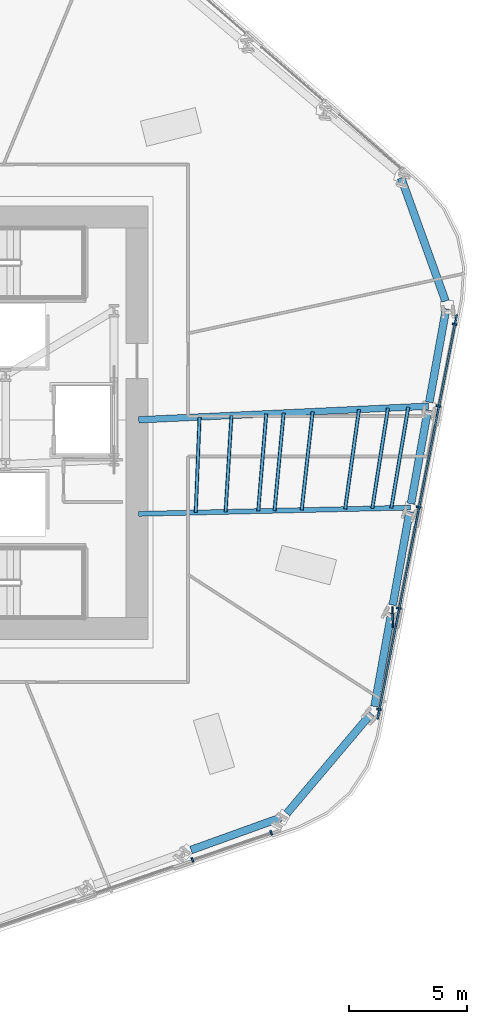
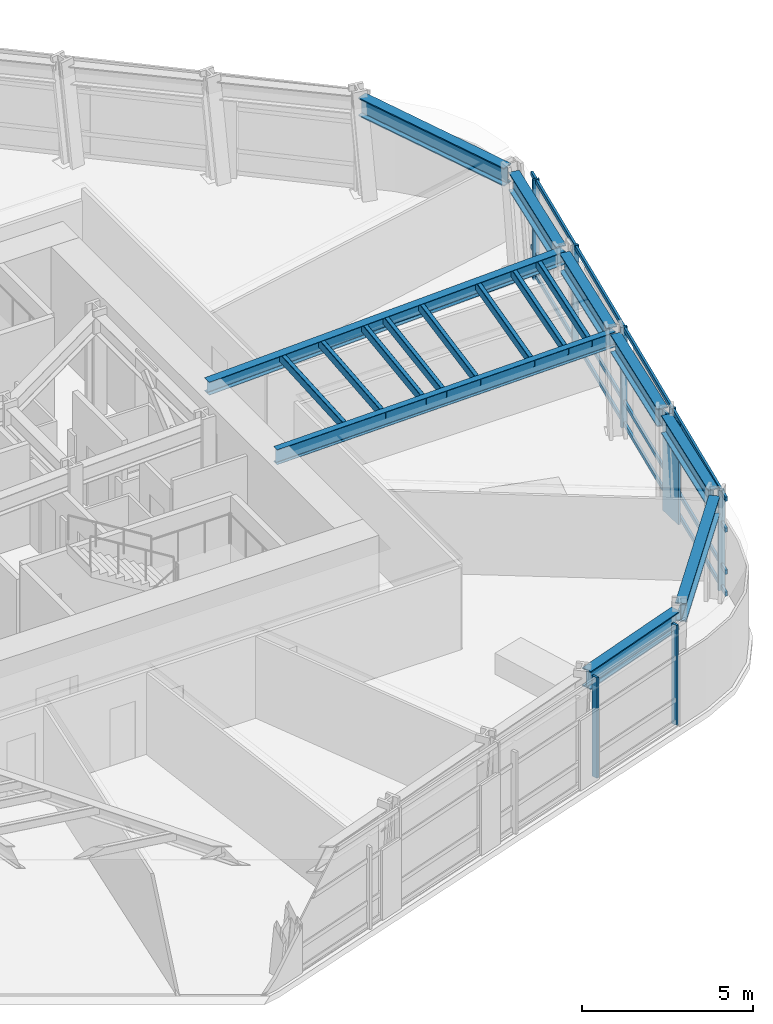
# One storey, part 5 of 16: 20 members, 9 beams, 2 elements without a shape of their own.
"""IFC4 building model written with IfcOpenShell, lengths in metres."""

from ifc_helpers import new_model, si_unit, direction, frame, origin, origin_2d, place, context, subcontext, project, spatial, rectangle, hollow_rectangle, i_section, extrude, material, layer, layer_set, material_profile, profile_set, type_object, element, aggregate, save


model = new_model("IFC4")

# Units and contexts
model_context = context("Model", 3, precision=1e-05, world=origin(), true_north=direction((0.0, 1.0)))
body_context = subcontext(model_context, "Body", "Model", "MODEL_VIEW")
ifc_project = project(units=[si_unit("LENGTHUNIT", "METRE"), si_unit("AREAUNIT", "SQUARE_METRE"), si_unit("VOLUMEUNIT", "CUBIC_METRE"), si_unit("PLANEANGLEUNIT", "RADIAN"), si_unit("MASSUNIT", "GRAM", prefix="KILO")], contexts=[model_context])

# Site, building, storey
site_placement = place(None, origin())
site = spatial("IfcSite", under=ifc_project, at=site_placement, CompositionType="ELEMENT")
building_placement = place(site_placement, origin())
building = spatial("IfcBuilding", under=site, at=building_placement, Name="Valkerne Bourse Tower", CompositionType="ELEMENT")
storey_placement = place(building_placement, frame((0.0, 0.0, 104.800048828125)))
storey = spatial("IfcBuildingStorey", under=building, at=storey_placement, Name="L26", CompositionType="ELEMENT", Elevation=104.800048828125)

# Beams
ifc_material_1 = material(Name="Steel ASTM A992", Category="steel")
ifc_material_profile_1 = material_profile(ifc_material_1, i_section(OverallWidth=0.279296875, OverallDepth=0.46240234375, WebThickness=0.0107421875, FlangeThickness=0.017333984375, FilletRadius=0.017822265625, at=origin_2d()), Name="W18X76")
ifc_profile_set_1 = profile_set([ifc_material_profile_1], Name="Steel ASTM A992")
beam_type_1 = type_object("IfcBeamType", Name="BM-W18X76", PredefinedType="BEAM", material=ifc_profile_set_1)
beam_1_placement = place(storey_placement, frame((68.33056640625, 27.579345703125, 3.3486328125), z_axis=(-0.998898051711, -0.046932742183, 0.0), x_axis=(0.046932742183, -0.998898051711, 0.0)))
element("IfcBeam", 1, at=beam_1_placement, inside=storey, type_object=beam_type_1, Name="L26 Radial Composite Floor Beam 28", PredefinedType="BEAM", context=body_context, shape_type="SweptSolid", body=[
    extrude(i_section(OverallWidth=0.279296875, OverallDepth=0.46240234375, WebThickness=0.0107421875, FlangeThickness=0.017333984375, FilletRadius=0.017822265625, at=origin_2d()), origin(), (0.0, 0.0, 1.0), 12.34423828125),
])
ifc_material_profile_2 = material_profile(ifc_material_1, i_section(OverallWidth=0.209228515625, OverallDepth=0.533447265625, WebThickness=0.01025390625, FlangeThickness=0.015625, FilletRadius=0.017822265625, at=origin_2d()), Name="W21X62")
ifc_profile_set_2 = profile_set([ifc_material_profile_2], Name="Steel ASTM A992")
beam_type_2 = type_object("IfcBeamType", Name="BM-W21X62", PredefinedType="JOIST", material=ifc_profile_set_2)
beam_2_placement = place(storey_placement, frame((67.554443359375, 23.265625, 3.313232421875), z_axis=(-0.999735857829, -0.022982919123, 0.0), x_axis=(0.022982919123, -0.999735857829, 0.0)))
element("IfcBeam", 2, at=beam_2_placement, inside=storey, type_object=beam_type_2, Name="L26 Radial Composite Floor Beam 27", PredefinedType="JOIST", context=body_context, shape_type="SweptSolid", body=[
    extrude(i_section(OverallWidth=0.209228515625, OverallDepth=0.533447265625, WebThickness=0.01025390625, FlangeThickness=0.015625, FilletRadius=0.017822265625, at=origin_2d()), origin(), (0.0, 0.0, 1.0), 11.5576171875),
])
ifc_material_profile_3 = material_profile(ifc_material_1, i_section(OverallWidth=0.330078125, OverallDepth=0.647705078125, WebThickness=0.0205078125, FlangeThickness=0.037109375, FilletRadius=0.020263671875, at=origin_2d()), Name="W24X192")
ifc_profile_set_3 = profile_set([ifc_material_profile_3], Name="Steel ASTM A992")
beam_type_3 = type_object("IfcBeamType", Name="BM-W24X192", PredefinedType="SPANDREL", material=ifc_profile_set_3)
beam_3_placement = place(storey_placement, frame((58.22705078125, 8.701416015625, 3.256103515625), z_axis=(0.940890491056, 0.338710914853, 0.0), x_axis=(-0.338710914853, 0.940890491056, 0.0)))
element("IfcBeam", 3, at=beam_3_placement, inside=storey, type_object=beam_type_3, Name="L26 Hexagonal Spandrel Ring Beam 23", PredefinedType="SPANDREL", context=body_context, shape_type="SweptSolid", body=[
    extrude(i_section(OverallWidth=0.330078125, OverallDepth=0.647705078125, WebThickness=0.0205078125, FlangeThickness=0.037109375, FilletRadius=0.020263671875, at=origin_2d()), origin(), (0.0, 0.0, 1.0), 4.04296875),
])
beam_4_placement = place(storey_placement, frame((62.30078125, 10.258056640625, 3.256103515625), z_axis=(0.645438602608, 0.7638121564, 0.0), x_axis=(-0.7638121564, 0.645438602608, 0.0)))
element("IfcBeam", 4, at=beam_4_placement, inside=storey, type_object=beam_type_3, Name="L26 Hexagonal Spandrel Ring Beam 24", PredefinedType="SPANDREL", context=body_context, shape_type="SweptSolid", body=[
    extrude(i_section(OverallWidth=0.330078125, OverallDepth=0.647705078125, WebThickness=0.0205078125, FlangeThickness=0.037109375, FilletRadius=0.020263671875, at=origin_2d()), origin(), (0.0, 0.0, 1.0), 5.564453125),
])
beam_5_placement = place(storey_placement, frame((66.0322265625, 14.805419921875, 3.256103515625), z_axis=(0.177105037494, 0.984191955715, 0.0), x_axis=(-0.984191955715, 0.177105037494, 0.0)))
element("IfcBeam", 5, at=beam_5_placement, inside=storey, type_object=beam_type_3, Name="L26 Hexagonal Spandrel Ring Beam 25", PredefinedType="SPANDREL", context=body_context, shape_type="SweptSolid", body=[
    extrude(i_section(OverallWidth=0.330078125, OverallDepth=0.647705078125, WebThickness=0.0205078125, FlangeThickness=0.037109375, FilletRadius=0.020263671875, at=origin_2d()), origin(), (0.0, 0.0, 1.0), 4.043212890625),
])
for number, where, z_axis, x_axis, name in (
    (6, (66.808349609375, 19.119384765625, 3.256103515625), (0.17711556329, 0.984190061543, 0.0), (-0.984190061543, 0.17711556329, 0.0), "L26 Hexagonal Spandrel Ring Beam 26"),
    (7, (67.58447265625, 23.43310546875, 3.256103515625), (0.17711556329, 0.984190061543, 0.0), (-0.984190061543, 0.17711556329, 0.0), "L26 Hexagonal Spandrel Ring Beam 27"),
):
    element("IfcBeam", number, at=place(storey_placement, frame(where, z_axis=z_axis, x_axis=x_axis)), inside=storey, type_object=beam_type_3, Name=name, PredefinedType="SPANDREL", context=body_context, shape_type="SweptSolid", body=[
        extrude(i_section(OverallWidth=0.330078125, OverallDepth=0.647705078125, WebThickness=0.0205078125, FlangeThickness=0.037109375, FilletRadius=0.020263671875, at=origin_2d()), origin(), (0.0, 0.0, 1.0), 4.04296875),
    ])
beam_6_placement = place(storey_placement, frame((68.360595703125, 27.74658203125, 3.256103515625), z_axis=(0.177105037494, 0.984191955715, 0.0), x_axis=(-0.984191955715, 0.177105037494, 0.0)))
element("IfcBeam", 8, at=beam_6_placement, inside=storey, type_object=beam_type_3, Name="L26 Hexagonal Spandrel Ring Beam 28", PredefinedType="SPANDREL", context=body_context, shape_type="SweptSolid", body=[
    extrude(i_section(OverallWidth=0.330078125, OverallDepth=0.647705078125, WebThickness=0.0205078125, FlangeThickness=0.037109375, FilletRadius=0.020263671875, at=origin_2d()), origin(), (0.0, 0.0, 1.0), 4.043212890625),
])
beam_7_placement = place(storey_placement, frame((69.04931640625, 32.052978515625, 3.256103515625), z_axis=(-0.338736557211, 0.940881259676, 0.0), x_axis=(-0.940881259676, -0.338736557211, 0.0)))
element("IfcBeam", 9, at=beam_7_placement, inside=storey, type_object=beam_type_3, Name="L26 Hexagonal Spandrel Ring Beam 29", PredefinedType="SPANDREL", context=body_context, shape_type="SweptSolid", body=[
    extrude(i_section(OverallWidth=0.330078125, OverallDepth=0.647705078125, WebThickness=0.0205078125, FlangeThickness=0.037109375, FilletRadius=0.020263671875, at=origin_2d()), origin(), (0.0, 0.0, 1.0), 5.56494140625),
])

# Curtain wall, members
ifc_material_2 = material(Name="Aluminium AA 6063-T6", Category="aluminium")
ifc_layer = layer(ifc_material_2, 0.22998046875)
ifc_layer_set = layer_set([ifc_layer], Name="Aluminium AA 6063-T6")
curtain_wall_type = type_object("IfcCurtainWallType", Name="CW-02", PredefinedType="NOTDEFINED", material=ifc_layer_set)
curtain_wall_1_placement = place(storey_placement, origin())
curtain_wall_1 = element("IfcCurtainWall", 10, at=curtain_wall_1_placement, inside=storey, type_object=curtain_wall_type, Name="L26 Hexagonal Stick Curtain Wall Face 5", PredefinedType="NOTDEFINED")
ifc_material_profile_4 = material_profile(ifc_material_2, rectangle(XDim=0.074951171875, YDim=0.199951171875, at=origin_2d()), Name="CWM-75X200")
ifc_profile_set_4 = profile_set([ifc_material_profile_4], Name="Aluminium AA 6063-T6")
member_type_1 = type_object("IfcMemberType", Name="CW-MUL-220X75", PredefinedType="MULLION", material=ifc_profile_set_4)
member_1_placement = place(storey_placement, frame((58.284912109375, 8.283203125, 0.0), z_axis=(0.0, 0.0, 1.0), x_axis=(0.946080655977, 0.323931153776, 0.0)))
member_1 = element("IfcMember", 11, at=member_1_placement, type_object=member_type_1, Name="CW-L26-F5 Jamb Mullion 03A", PredefinedType="MULLION", context=body_context, shape_type="SweptSolid", body=[
    extrude(rectangle(XDim=0.074951171875, YDim=0.199951171875, at=origin_2d()), origin(), (0.0, 0.0, 1.0), 3.579833984375),
])
member_2_placement = place(storey_placement, frame((61.636962890625, 9.430908203125, 0.0), z_axis=(0.0, 0.0, 1.0), x_axis=(0.946080655977, 0.323931153776, 0.0)))
member_2 = element("IfcMember", 12, at=member_2_placement, type_object=member_type_1, Name="CW-L26-F5 Jamb Mullion 03B", PredefinedType="MULLION", context=body_context, shape_type="SweptSolid", body=[
    extrude(rectangle(XDim=0.074951171875, YDim=0.199951171875, at=origin_2d()), origin(), (0.0, 0.0, 1.0), 3.579833984375),
])
aggregate(curtain_wall_1, [member_1, member_2])

curtain_wall_2_placement = place(storey_placement, origin())
curtain_wall_2 = element("IfcCurtainWall", 13, at=curtain_wall_2_placement, inside=storey, type_object=curtain_wall_type, Name="L26 Hexagonal Stick Curtain Wall Face 6", PredefinedType="NOTDEFINED")
member_3_placement = place(storey_placement, frame((66.22021484375, 14.684814453125, 0.0), z_axis=(0.0, 0.0, 1.0), x_axis=(0.192516989941, 0.981293640346, 0.0)))
member_3 = element("IfcMember", 14, at=member_3_placement, type_object=member_type_1, Name="CW-L26-F6 Jamb Mullion 00A", PredefinedType="MULLION", context=body_context, shape_type="SweptSolid", body=[
    extrude(rectangle(XDim=0.074951171875, YDim=0.199951171875, at=origin_2d()), origin(), (0.0, 0.0, 1.0), 3.579833984375),
])
member_4_placement = place(storey_placement, frame((67.06396484375, 18.98583984375, 0.0), z_axis=(0.0, 0.0, 1.0), x_axis=(0.192512679825, 0.981294485925, 0.0)))
member_4 = element("IfcMember", 15, at=member_4_placement, type_object=member_type_1, Name="CW-L26-F6 Jamb Mullion 01A", PredefinedType="MULLION", context=body_context, shape_type="SweptSolid", body=[
    extrude(rectangle(XDim=0.074951171875, YDim=0.199951171875, at=origin_2d()), origin(), (0.0, 0.0, 1.0), 3.579833984375),
])
member_5_placement = place(storey_placement, frame((67.90771484375, 23.286865234375, 0.0), z_axis=(0.0, 0.0, 1.0), x_axis=(0.192516989941, 0.981293640346, 0.0)))
member_5 = element("IfcMember", 16, at=member_5_placement, type_object=member_type_1, Name="CW-L26-F6 Jamb Mullion 02A", PredefinedType="MULLION", context=body_context, shape_type="SweptSolid", body=[
    extrude(rectangle(XDim=0.074951171875, YDim=0.199951171875, at=origin_2d()), origin(), (0.0, 0.0, 1.0), 3.579833984375),
])
member_6_placement = place(storey_placement, frame((68.75146484375, 27.587890625, 0.0), z_axis=(0.0, 0.0, 1.0), x_axis=(0.192538959662, 0.981289329919, 0.0)))
member_6 = element("IfcMember", 17, at=member_6_placement, type_object=member_type_1, Name="CW-L26-F6 Jamb Mullion 03A", PredefinedType="MULLION", context=body_context, shape_type="SweptSolid", body=[
    extrude(rectangle(XDim=0.074951171875, YDim=0.199951171875, at=origin_2d()), origin(), (0.0, 0.0, 1.0), 3.579833984375),
])
member_7_placement = place(storey_placement, frame((69.43359375, 31.064697265625, 0.0), z_axis=(0.0, 0.0, 1.0), x_axis=(0.192538959662, 0.981289329919, 0.0)))
member_7 = element("IfcMember", 18, at=member_7_placement, type_object=member_type_1, Name="CW-L26-F6 Jamb Mullion 03B", PredefinedType="MULLION", context=body_context, shape_type="SweptSolid", body=[
    extrude(rectangle(XDim=0.074951171875, YDim=0.199951171875, at=origin_2d()), origin(), (0.0, 0.0, 1.0), 3.579833984375),
])
ifc_material_profile_5 = material_profile(ifc_material_2, rectangle(XDim=0.074951171875, YDim=0.14990234375, at=origin_2d()), Name="CWT-75X150")
ifc_profile_set_5 = profile_set([ifc_material_profile_5], Name="Aluminium AA 6063-T6")
member_type_2 = type_object("IfcMemberType", Name="CW-TRN-180X65", PredefinedType="USERDEFINED", material=ifc_profile_set_5)
member_8_placement = place(storey_placement, frame((66.158935546875, 14.268798828125, 0.119873046875), z_axis=(0.192518319952, 0.981293379414, 0.0), x_axis=(-0.981293379414, 0.192518319952, 0.0)))
member_8 = element("IfcMember", 19, at=member_8_placement, type_object=member_type_2, Name="CW-L26-F6 Continuous Face Transom 1", ObjectType="TRANSOM", PredefinedType="USERDEFINED", context=body_context, shape_type="SweptSolid", body=[
    extrude(rectangle(XDim=0.074951171875, YDim=0.14990234375, at=origin_2d()), origin(), (0.0, 0.0, 1.0), 17.531982421875),
])
member_9_placement = place(storey_placement, frame((66.158935546875, 14.268798828125, 0.89990234375), z_axis=(0.192518319952, 0.981293379414, 0.0), x_axis=(-0.981293379414, 0.192518319952, 0.0)))
member_9 = element("IfcMember", 20, at=member_9_placement, type_object=member_type_2, Name="CW-L26-F6 Continuous Face Transom 2", ObjectType="TRANSOM", PredefinedType="USERDEFINED", context=body_context, shape_type="SweptSolid", body=[
    extrude(rectangle(XDim=0.074951171875, YDim=0.14990234375, at=origin_2d()), origin(), (0.0, 0.0, 1.0), 17.531982421875),
])
member_10_placement = place(storey_placement, frame((66.158935546875, 14.268798828125, 2.39990234375), z_axis=(0.192518319952, 0.981293379414, 0.0), x_axis=(-0.981293379414, 0.192518319952, 0.0)))
member_10 = element("IfcMember", 21, at=member_10_placement, type_object=member_type_2, Name="CW-L26-F6 Continuous Face Transom 3", ObjectType="TRANSOM", PredefinedType="USERDEFINED", context=body_context, shape_type="SweptSolid", body=[
    extrude(rectangle(XDim=0.074951171875, YDim=0.14990234375, at=origin_2d()), origin(), (0.0, 0.0, 1.0), 17.531982421875),
])
member_11_placement = place(storey_placement, frame((66.158935546875, 14.268798828125, 3.5), z_axis=(0.192518319952, 0.981293379414, 0.0), x_axis=(-0.981293379414, 0.192518319952, 0.0)))
member_11 = element("IfcMember", 22, at=member_11_placement, type_object=member_type_2, Name="CW-L26-F6 Continuous Face Transom 4", ObjectType="TRANSOM", PredefinedType="USERDEFINED", context=body_context, shape_type="SweptSolid", body=[
    extrude(rectangle(XDim=0.074951171875, YDim=0.14990234375, at=origin_2d()), origin(), (0.0, 0.0, 1.0), 17.531982421875),
])
aggregate(curtain_wall_2, [member_8, member_9, member_10, member_11, member_3, member_4, member_5, member_6, member_7])

# Members
ifc_material_3 = material(Name="Bronze Anodised Aluminium AA 6063-T6", Category="aluminium")
ifc_material_profile_6 = material_profile(ifc_material_3, rectangle(XDim=0.070068359375, YDim=0.89990234375, at=origin_2d()), Name="FIN-70X900")
ifc_profile_set_6 = profile_set([ifc_material_profile_6], Name="Bronze Anodised Aluminium AA 6063-T6")
member_type_3 = type_object("IfcMemberType", Name="FIN-SOLAR-900", PredefinedType="USERDEFINED", material=ifc_profile_set_6)
member_12_placement = place(storey_placement, frame((66.806396484375, 18.6083984375, 0.00390625), z_axis=(0.0, 0.0, 1.0), x_axis=(0.999753112283, 0.022219686773, 0.0)))
element("IfcMember", 23, at=member_12_placement, inside=storey, type_object=member_type_3, Name="L26 Bronze Anodised Solar Fin F6-01", ObjectType="SOLAR_FIN", PredefinedType="USERDEFINED", context=body_context, shape_type="SweptSolid", body=[
    extrude(rectangle(XDim=0.070068359375, YDim=0.89990234375, at=origin_2d()), origin(), (0.0, 0.0, 1.0), 3.572021484375),
])
ifc_material_4 = material(Name="Steel ASTM A500 Grade C", Category="steel")
ifc_material_profile_7 = material_profile(ifc_material_4, hollow_rectangle(XDim=0.14990234375, YDim=0.300048828125, WallThickness=0.012451171875, OuterFilletRadius=0.02490234375, at=origin_2d()), Name="HSS300X150X12.5")
ifc_profile_set_7 = profile_set([ifc_material_profile_7], Name="Steel ASTM A500 Grade C")
member_type_4 = type_object("IfcMemberType", Name="MBR-HSS300X150X12.5", PredefinedType="PURLIN", material=ifc_profile_set_7)
member_13_placement = place(storey_placement, frame((59.697509765625, 23.0849609375, 3.419921875), z_axis=(0.060443022751, 0.998171649067, 0.0), x_axis=(-0.998171649067, 0.060443022751, 0.0)))
element("IfcMember", 24, at=member_13_placement, inside=storey, type_object=member_type_4, Name="L26 Secondary Composite Floor Purlin I-27", PredefinedType="PURLIN", context=body_context, shape_type="SweptSolid", body=[
    extrude(hollow_rectangle(XDim=0.14990234375, YDim=0.300048828125, WallThickness=0.012451171875, OuterFilletRadius=0.02490234375, at=origin_2d()), origin(), (0.0, 0.0, 1.0), 4.10791015625),
])
member_14_placement = place(storey_placement, frame((61.083984375, 23.116943359375, 3.419921875), z_axis=(0.08226198738, 0.996610739172, 0.0), x_axis=(-0.996610739172, 0.08226198738, 0.0)))
element("IfcMember", 25, at=member_14_placement, inside=storey, type_object=member_type_4, Name="L26 Secondary Composite Floor Purlin K-27", PredefinedType="PURLIN", context=body_context, shape_type="SweptSolid", body=[
    extrude(hollow_rectangle(XDim=0.14990234375, YDim=0.300048828125, WallThickness=0.012451171875, OuterFilletRadius=0.02490234375, at=origin_2d()), origin(), (0.0, 0.0, 1.0), 4.152099609375),
])
member_15_placement = place(storey_placement, frame((61.777099609375, 23.1328125, 3.419921875), z_axis=(0.09297660113, 0.995668293983, 0.0), x_axis=(-0.995668293983, 0.09297660113, 0.0)))
element("IfcMember", 26, at=member_15_placement, inside=storey, type_object=member_type_4, Name="L26 Secondary Composite Floor Purlin M-27", PredefinedType="PURLIN", context=body_context, shape_type="SweptSolid", body=[
    extrude(hollow_rectangle(XDim=0.14990234375, YDim=0.300048828125, WallThickness=0.012451171875, OuterFilletRadius=0.02490234375, at=origin_2d()), origin(), (0.0, 0.0, 1.0), 4.175048828125),
])
member_16_placement = place(storey_placement, frame((64.78125, 23.201904296875, 3.419921875), z_axis=(0.137897986133, 0.990446437431, 0.0), x_axis=(-0.990446437431, 0.137897986133, 0.0)))
element("IfcMember", 27, at=member_16_placement, inside=storey, type_object=member_type_4, Name="L26 Secondary Composite Floor Purlin O-27", PredefinedType="PURLIN", context=body_context, shape_type="SweptSolid", body=[
    extrude(hollow_rectangle(XDim=0.14990234375, YDim=0.300048828125, WallThickness=0.012451171875, OuterFilletRadius=0.02490234375, at=origin_2d()), origin(), (0.0, 0.0, 1.0), 4.279052734375),
])
member_17_placement = place(storey_placement, frame((62.9326171875, 23.159423828125, 3.419921875), z_axis=(0.110539623305, 0.993871717919, 0.0), x_axis=(-0.993871717919, 0.110539623305, 0.0)))
element("IfcMember", 28, at=member_17_placement, inside=storey, type_object=member_type_4, Name="L26 Secondary Composite Floor Purlin Z-27", PredefinedType="PURLIN", context=body_context, shape_type="SweptSolid", body=[
    extrude(hollow_rectangle(XDim=0.14990234375, YDim=0.300048828125, WallThickness=0.012451171875, OuterFilletRadius=0.02490234375, at=origin_2d()), origin(), (0.0, 0.0, 1.0), 4.214111328125),
])
member_18_placement = place(storey_placement, frame((58.426513671875, 23.055908203125, 3.419921875), z_axis=(0.040020754943, 0.999198848665, 0.0), x_axis=(-0.999198848665, 0.040020754943, 0.0)))
element("IfcMember", 29, at=member_18_placement, inside=storey, type_object=member_type_4, Name="L26 Secondary Composite Floor Purlin S-27", PredefinedType="PURLIN", context=body_context, shape_type="SweptSolid", body=[
    extrude(hollow_rectangle(XDim=0.14990234375, YDim=0.300048828125, WallThickness=0.012451171875, OuterFilletRadius=0.02490234375, at=origin_2d()), origin(), (0.0, 0.0, 1.0), 4.06884765625),
])
member_19_placement = place(storey_placement, frame((65.936767578125, 23.228515625, 3.419921875), z_axis=(0.154450982724, 0.988000452397, 0.0), x_axis=(-0.988000452397, 0.154450982724, 0.0)))
element("IfcMember", 30, at=member_19_placement, inside=storey, type_object=member_type_4, Name="L26 Secondary Composite Floor Purlin T-27", PredefinedType="PURLIN", context=body_context, shape_type="SweptSolid", body=[
    extrude(hollow_rectangle(XDim=0.14990234375, YDim=0.300048828125, WallThickness=0.012451171875, OuterFilletRadius=0.02490234375, at=origin_2d()), origin(), (0.0, 0.0, 1.0), 4.321533203125),
])
member_20_placement = place(storey_placement, frame((66.74560546875, 23.2470703125, 3.419921875), z_axis=(0.165881606542, 0.986145675147, 0.0), x_axis=(-0.986145675147, 0.165881606542, 0.0)))
element("IfcMember", 31, at=member_20_placement, inside=storey, type_object=member_type_4, Name="L26 Secondary Composite Floor Purlin U-27", PredefinedType="PURLIN", context=body_context, shape_type="SweptSolid", body=[
    extrude(hollow_rectangle(XDim=0.14990234375, YDim=0.300048828125, WallThickness=0.012451171875, OuterFilletRadius=0.02490234375, at=origin_2d()), origin(), (0.0, 0.0, 1.0), 4.35205078125),
])

save(model, "model.ifc")
